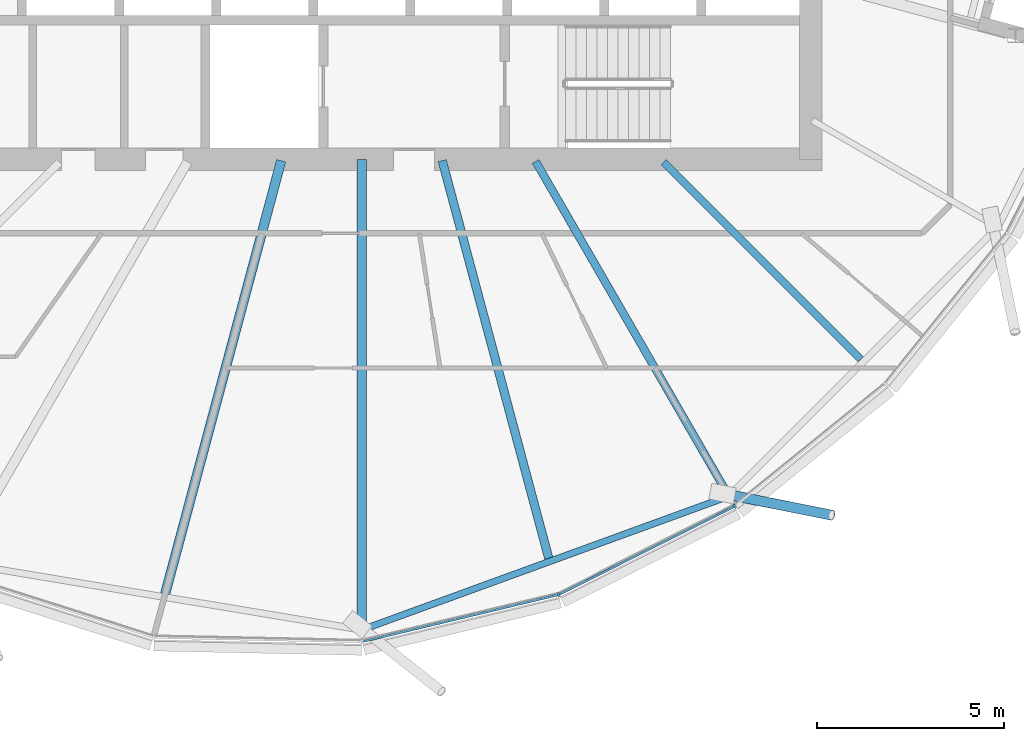
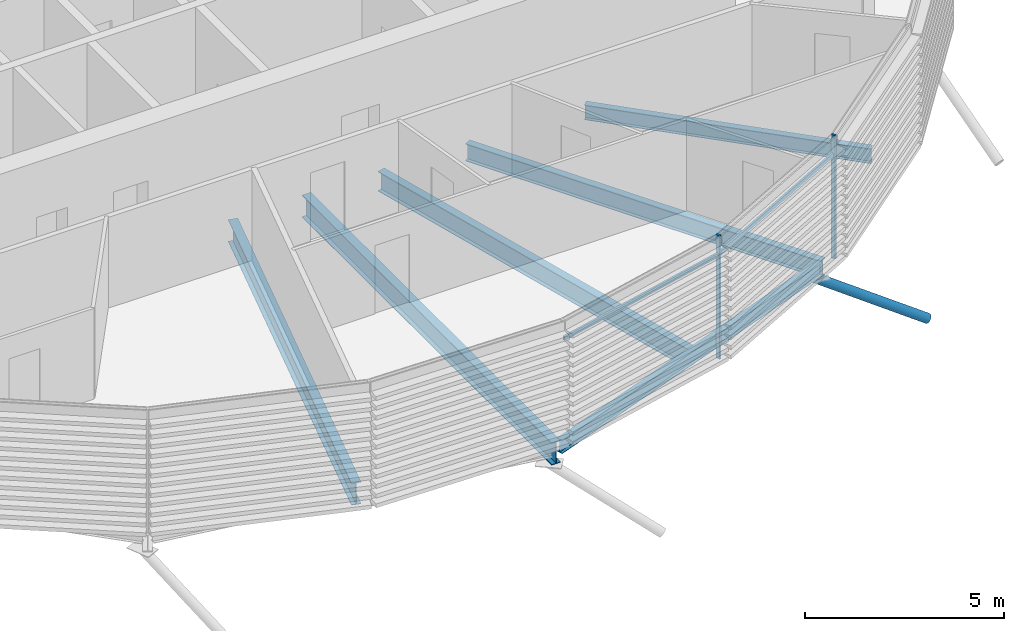
# One storey, part 12 of 37: 6 beams, 5 members, 1 element without a shape of its own.
"""IFC4 building model written with IfcOpenShell, lengths in metres."""

from ifc_helpers import new_model, si_unit, direction, frame, origin, origin_2d, place, context, subcontext, project, spatial, rectangle, hollow_circle, i_section, extrude, clip, halfspace, material, material_profile, profile_set, type_object, element, aggregate, save


model = new_model("IFC4")

# Units and contexts
model_context = context("Model", 3, precision=1e-05, world=origin(), true_north=direction((0.0, 1.0)))
body_context = subcontext(model_context, "Body", "Model", "MODEL_VIEW")
ifc_project = project(units=[si_unit("LENGTHUNIT", "METRE"), si_unit("AREAUNIT", "SQUARE_METRE"), si_unit("VOLUMEUNIT", "CUBIC_METRE"), si_unit("PLANEANGLEUNIT", "RADIAN"), si_unit("MASSUNIT", "GRAM", prefix="KILO")], contexts=[model_context])

# Site, building, storey
site_placement = place(None, origin())
site = spatial("IfcSite", under=ifc_project, at=site_placement, CompositionType="ELEMENT")
building_placement = place(site_placement, origin())
building = spatial("IfcBuilding", under=site, at=building_placement, Name="Rimbun Link Towers", CompositionType="ELEMENT")
storey_placement = place(building_placement, frame((0.0, 0.0, 177.89990234375)))
storey = spatial("IfcBuildingStorey", under=building, at=storey_placement, Name="L43", CompositionType="ELEMENT", Elevation=177.89990234375)

# Curtain wall, members
ifc_material_1 = material(Name="Aluminium 6063-T6 and low-iron glass", Category="aluminium")
curtain_wall_type = type_object("IfcCurtainWallType", Name="CW1-Z3 unitised vision wall (zone 3)", PredefinedType="NOTDEFINED", material=ifc_material_1)
curtain_wall_placement = place(storey_placement, origin())
curtain_wall = element("IfcCurtainWall", 1, at=curtain_wall_placement, inside=storey, type_object=curtain_wall_type, Name="CW1 L43 T2", PredefinedType="NOTDEFINED")
ifc_material_2 = material(Name="Aluminium 6063-T6", Category="aluminium")
ifc_material_profile_1 = material_profile(ifc_material_2, rectangle(XDim=0.1201171875, YDim=0.06005859375, at=origin_2d()), Name="MULLION 60X120")
ifc_profile_set_1 = profile_set([ifc_material_profile_1], Name="Aluminium 6063-T6")
member_type_1 = type_object("IfcMemberType", Name="CW1 mullion 60X120", PredefinedType="MULLION", material=ifc_profile_set_1)
member_1_placement = place(storey_placement, frame((37.0166015625, -19.634765625, 0.0), z_axis=(0.0, 0.0, 1.0), x_axis=(0.342962048977, -0.939349260372, 0.0)))
member_1 = element("IfcMember", 2, at=member_1_placement, type_object=member_type_1, Name="CW1 mullion", PredefinedType="MULLION", context=body_context, shape_type="SweptSolid", body=[
    extrude(rectangle(XDim=0.1201171875, YDim=0.06005859375, at=origin_2d()), origin(), (0.0, 0.0, 1.0), 3.800048828125),
])
member_2_placement = place(storey_placement, frame((41.724609375, -17.2705078125, 0.0), z_axis=(0.0, 0.0, 1.0), x_axis=(0.542097014409, -0.84031590903, 0.0)))
member_2 = element("IfcMember", 3, at=member_2_placement, type_object=member_type_1, Name="CW1 mullion", PredefinedType="MULLION", context=body_context, shape_type="SweptSolid", body=[
    extrude(rectangle(XDim=0.1201171875, YDim=0.06005859375, at=origin_2d()), origin(), (0.0, 0.0, 1.0), 3.800048828125),
])
ifc_material_3 = material(Name="Aluminium 6063-T6", Category="aluminium")
ifc_material_profile_2 = material_profile(ifc_material_3, rectangle(XDim=0.06005859375, YDim=0.1201171875, at=origin_2d()), Name="TRANSOM 60X120")
ifc_profile_set_2 = profile_set([ifc_material_profile_2], Name="Aluminium 6063-T6")
member_type_2 = type_object("IfcMemberType", Name="CW1 transom 60X120", PredefinedType="USERDEFINED", material=ifc_profile_set_2)
member_3_placement = place(storey_placement, frame((36.980224609375, -19.641845703125, 3.2001953125), z_axis=(-0.972568987432, -0.232614626983, 0.0), x_axis=(0.232614626983, -0.972568987432, 0.0)))
member_3 = element("IfcMember", 4, at=member_3_placement, type_object=member_type_2, Name="CW1 transom", ObjectType="TRANSOM", PredefinedType="USERDEFINED", context=body_context, shape_type="SweptSolid", body=[
    extrude(rectangle(XDim=0.06005859375, YDim=0.1201171875, at=origin_2d()), origin(), (0.0, 0.0, 1.0), 5.333740234375),
])
member_4_placement = place(storey_placement, frame((41.69140625, -17.285400390625, 3.2001953125), z_axis=(-0.89363629946, -0.448791894186, 0.0), x_axis=(0.448791894186, -0.89363629946, 0.0)))
member_4 = element("IfcMember", 5, at=member_4_placement, type_object=member_type_2, Name="CW1 transom", ObjectType="TRANSOM", PredefinedType="USERDEFINED", context=body_context, shape_type="SweptSolid", body=[
    extrude(rectangle(XDim=0.06005859375, YDim=0.1201171875, at=origin_2d()), origin(), (0.0, 0.0, 1.0), 5.195068359375),
])
aggregate(curtain_wall, [member_1, member_2, member_3, member_4])

# Member
ifc_material_4 = material(Name="Steel S355J2H", Category="steel")
ifc_material_profile_3 = material_profile(ifc_material_4, hollow_circle(Radius=0.136474609375, WallThickness=0.012451171875, at=origin_2d()), Name="CHS 273x12.5")
ifc_profile_set_3 = profile_set([ifc_material_profile_3], Name="Steel S355J2H")
member_type_3 = type_object("IfcMemberType", Name="Floor edge link CHS 273x12.5", PredefinedType="BRACE", material=ifc_profile_set_3)
member_5_placement = place(storey_placement, frame((41.54052734375, -16.957763671875, -0.7978515625), z_axis=(0.824751458099, -0.163734761793, -0.54127253777), x_axis=(0.194725936853, 0.980857690757, 0.0)))
element("IfcMember", 6, at=member_5_placement, inside=storey, type_object=member_type_3, Name="Floor edge link T2 L43 17", PredefinedType="BRACE", context=body_context, shape_type="Clipping", body=[
    clip(extrude(hollow_circle(Radius=0.136474609375, WallThickness=0.012451171875, at=origin_2d()), frame((0.0, 0.0, -0.442626953125)), (0.0, 0.0, 1.0), 3.81689453125), halfspace(frame((0.0, 0.0, -0.20849609375), z_axis=(0.0, 0.840847215525, -0.54127253777)), False)),
])

# Beams
ifc_material_5 = material(Name="Steel S355J2", Category="steel")
ifc_material_profile_4 = material_profile(ifc_material_5, i_section(OverallWidth=0.177978515625, OverallDepth=0.406494140625, WebThickness=0.0078125, FlangeThickness=0.0126953125, at=origin_2d()), Name="UB 406x178x60")
ifc_profile_set_4 = profile_set([ifc_material_profile_4], Name="Steel S355J2")
beam_type_1 = type_object("IfcBeamType", Name="UB 406x178x60", PredefinedType="BEAM", material=ifc_profile_set_4)
beam_1_placement = place(storey_placement, frame((31.877685546875, -20.529541015625, -0.35302734375), z_axis=(0.939613749302, 0.342236763255, 0.0), x_axis=(-0.342236763255, 0.939613749302, 0.0)))
element("IfcBeam", 7, at=beam_1_placement, inside=storey, type_object=beam_type_1, Name="Edge beam T2 L43 15-17", PredefinedType="BEAM", context=body_context, shape_type="SweptSolid", body=[
    extrude(i_section(OverallWidth=0.177978515625, OverallDepth=0.406494140625, WebThickness=0.0078125, FlangeThickness=0.0126953125, at=origin_2d()), origin(), (0.0, 0.0, 1.0), 10.203369140625),
])
ifc_material_6 = material(Name="Steel S355J2", Category="steel")
ifc_material_profile_5 = material_profile(ifc_material_6, i_section(OverallWidth=0.18994140625, OverallDepth=0.453369140625, WebThickness=0.008544921875, FlangeThickness=0.0126953125, at=origin_2d()), Name="UB 457x191x67")
ifc_profile_set_5 = profile_set([ifc_material_profile_5], Name="Steel S355J2")
beam_type_2 = type_object("IfcBeamType", Name="UB 457x191x67", PredefinedType="BEAM", material=ifc_profile_set_5)
beam_2_placement = place(storey_placement, frame((39.81787109375, -8.06787109375, -0.376708984375), z_axis=(0.707106781187, -0.707106781187, 0.0), x_axis=(0.707106781187, 0.707106781187, 0.0)))
element("IfcBeam", 8, at=beam_2_placement, inside=storey, type_object=beam_type_2, Name="Radial beam T2 L43 18", PredefinedType="BEAM", context=body_context, shape_type="SweptSolid", body=[
    extrude(i_section(OverallWidth=0.18994140625, OverallDepth=0.453369140625, WebThickness=0.008544921875, FlangeThickness=0.0126953125, at=origin_2d()), origin(), (0.0, 0.0, 1.0), 7.462646484375),
])
ifc_material_7 = material(Name="Steel S355J2", Category="steel")
ifc_material_profile_6 = material_profile(ifc_material_7, i_section(OverallWidth=0.209228515625, OverallDepth=0.533203125, WebThickness=0.010009765625, FlangeThickness=0.015625, at=origin_2d()), Name="UB 533x210x92")
ifc_profile_set_6 = profile_set([ifc_material_profile_6], Name="Steel S355J2")
beam_type_3 = type_object("IfcBeamType", Name="UB 533x210x92", PredefinedType="BEAM", material=ifc_profile_set_6)
beam_3_placement = place(storey_placement, frame((36.3994140625, -8.05322265625, -0.41650390625), z_axis=(0.500001996123, -0.866024251319, 0.0), x_axis=(0.866024251319, 0.500001996123, 0.0)))
element("IfcBeam", 9, at=beam_3_placement, inside=storey, type_object=beam_type_3, Name="Radial beam T2 L43 17", PredefinedType="BEAM", context=body_context, shape_type="SweptSolid", body=[
    extrude(i_section(OverallWidth=0.209228515625, OverallDepth=0.533203125, WebThickness=0.010009765625, FlangeThickness=0.015625, at=origin_2d()), origin(), (0.0, 0.0, 1.0), 10.33203125),
])
ifc_material_8 = material(Name="Steel S355J2", Category="steel")
ifc_material_profile_7 = material_profile(ifc_material_8, i_section(OverallWidth=0.2275390625, OverallDepth=0.6025390625, WebThickness=0.010498046875, FlangeThickness=0.014892578125, at=origin_2d()), Name="UB 610x229x101")
ifc_profile_set_7 = profile_set([ifc_material_profile_7], Name="Steel S355J2")
beam_type_4 = type_object("IfcBeamType", Name="UB 610x229x101", PredefinedType="BEAM", material=ifc_profile_set_7)
beam_4_placement = place(storey_placement, frame((33.901611328125, -8.030517578125, -0.451171875), z_axis=(0.258836266354, -0.965921211704, 0.0), x_axis=(0.965921211704, 0.258836266354, 0.0)))
element("IfcBeam", 10, at=beam_4_placement, inside=storey, type_object=beam_type_4, Name="Radial beam T2 L43 16", PredefinedType="BEAM", context=body_context, shape_type="SweptSolid", body=[
    extrude(i_section(OverallWidth=0.2275390625, OverallDepth=0.6025390625, WebThickness=0.010498046875, FlangeThickness=0.014892578125, at=origin_2d()), origin(), (0.0, 0.0, 1.0), 11.003662109375),
])
ifc_material_9 = material(Name="Steel S355J2", Category="steel")
ifc_material_profile_8 = material_profile(ifc_material_9, i_section(OverallWidth=0.253662109375, OverallDepth=0.68359375, WebThickness=0.012451171875, FlangeThickness=0.01904296875, at=origin_2d()), Name="UB 686x254x140")
ifc_profile_set_8 = profile_set([ifc_material_profile_8], Name="Steel S355J2")
beam_type_5 = type_object("IfcBeamType", Name="UB 686x254x140", PredefinedType="BEAM", material=ifc_profile_set_8)
beam_5_placement = place(storey_placement, frame((29.597412109375, -8.03369140625, -0.49169921875), z_axis=(-0.25882636602, -0.965923864625, 0.0), x_axis=(0.965923864625, -0.25882636602, 0.0)))
element("IfcBeam", 11, at=beam_5_placement, inside=storey, type_object=beam_type_5, Name="Radial beam T2 L43 14", PredefinedType="BEAM", context=body_context, shape_type="SweptSolid", body=[
    extrude(i_section(OverallWidth=0.253662109375, OverallDepth=0.68359375, WebThickness=0.012451171875, FlangeThickness=0.01904296875, at=origin_2d()), origin(), (0.0, 0.0, 1.0), 11.985107421875),
])
beam_6_placement = place(storey_placement, frame((31.75, -8.0009765625, -0.49169921875), z_axis=(0.0, -1.0, 0.0), x_axis=(1.0, 0.0, 0.0)))
element("IfcBeam", 12, at=beam_6_placement, inside=storey, type_object=beam_type_5, Name="Radial beam T2 L43 15", PredefinedType="BEAM", context=body_context, shape_type="SweptSolid", body=[
    extrude(i_section(OverallWidth=0.253662109375, OverallDepth=0.68359375, WebThickness=0.012451171875, FlangeThickness=0.01904296875, at=origin_2d()), origin(), (0.0, 0.0, 1.0), 12.5751953125),
])

save(model, "model.ifc")
